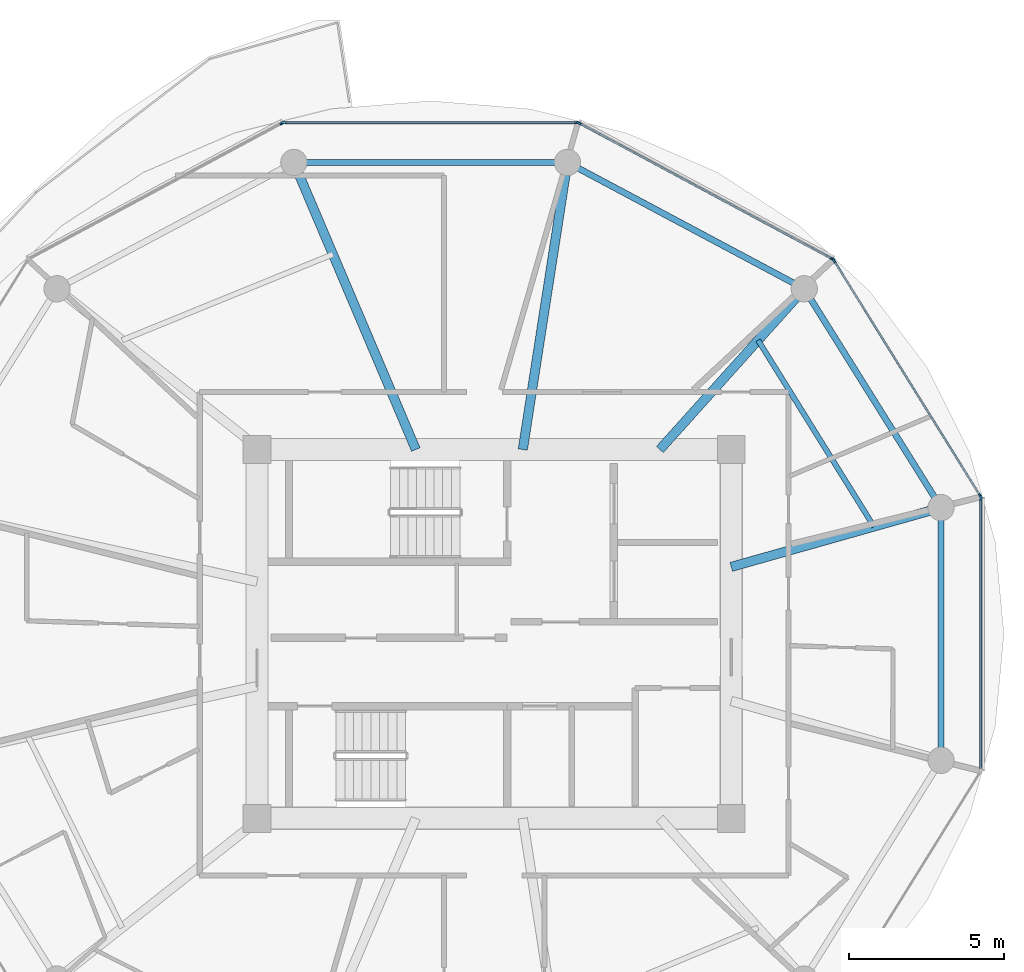
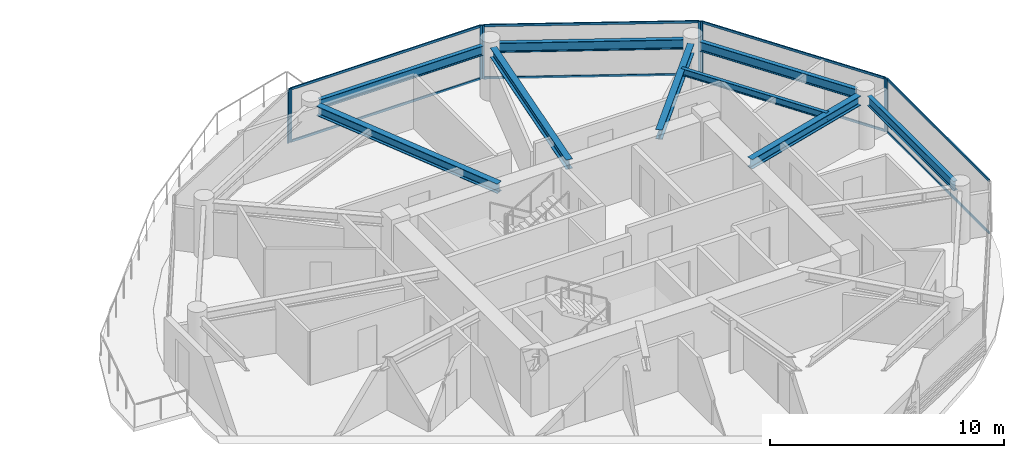
# One storey, part 11 of 22: 16 members, 9 beams, 5 elements without a shape of their own.
"""IFC4 building model written with IfcOpenShell, lengths in metres."""

from ifc_helpers import new_model, si_unit, direction, frame, origin, origin_2d, place, context, subcontext, project, spatial, rectangle, i_section, extrude, source, transform, mapped, material, layer, layer_set, material_profile, profile_set, type_object, type_shapes, element, aggregate, save


model = new_model("IFC4")

# Units and contexts
model_context = context("Model", 3, precision=1e-05, world=origin(), true_north=direction((0.0, 1.0)))
body_context = subcontext(model_context, "Body", "Model", "MODEL_VIEW")
ifc_project = project(units=[si_unit("LENGTHUNIT", "METRE"), si_unit("AREAUNIT", "SQUARE_METRE"), si_unit("VOLUMEUNIT", "CUBIC_METRE"), si_unit("PLANEANGLEUNIT", "RADIAN"), si_unit("MASSUNIT", "GRAM", prefix="KILO")], contexts=[model_context])

# Site, building, storey
site_placement = place(None, origin())
site = spatial("IfcSite", under=ifc_project, at=site_placement, CompositionType="ELEMENT")
building_placement = place(site_placement, origin())
building = spatial("IfcBuilding", under=site, at=building_placement, Name="Norrkilde Senior Care Towers", CompositionType="ELEMENT")
storey_placement = place(building_placement, frame((0.0, 0.0, 120.64990234375)))
storey = spatial("IfcBuildingStorey", under=building, at=storey_placement, Name="L37", CompositionType="ELEMENT", Elevation=120.64990234375)

# Beams
ifc_material_1 = material(Name="Steel S355", Category="steel")
ifc_material_profile_1 = material_profile(ifc_material_1, i_section(OverallWidth=0.199951171875, OverallDepth=0.5, WebThickness=0.01025390625, FlangeThickness=0.01611328125, FilletRadius=0.02099609375, at=origin_2d()), Name="IPE 500")
ifc_profile_set_1 = profile_set([ifc_material_profile_1], Name="Steel S355")
beam_type_1 = type_object("IfcBeamType", Name="Perimeter Ring Spandrel Z2 IPE500", PredefinedType="SPANDREL", material=ifc_profile_set_1)
shared_shape_1 = source(origin(), body_context, "Body", "SweptSolid", [
    extrude(i_section(OverallWidth=0.199951171875, OverallDepth=0.5, WebThickness=0.01025390625, FlangeThickness=0.01611328125, FilletRadius=0.02099609375, at=origin_2d()), origin(), (0.0, 0.0, 1.0), 7.892333984375),
])
beam_1_placement = place(storey_placement, frame((37.66650390625, 11.318115234375, 2.5400390625), z_axis=(-0.882350372282, 0.47059305194, 0.0), x_axis=(-0.47059305194, -0.882350372282, 0.0)))
element("IfcBeam", 1, at=beam_1_placement, inside=storey, type_object=beam_type_1, Name="L37 Drum E Perimeter Spandrel 02", PredefinedType="SPANDREL", context=body_context, shape_type="MappedRepresentation", body=[
    mapped(shared_shape_1, transform((0.0, 0.0, 0.0), x_axis=(1.0, 0.0, 0.0), y_axis=(0.0, 1.0, 0.0), z_axis=(0.0, 0.0, 1.0), scale=1.0)),
])
shared_shape_2 = source(origin(), body_context, "Body", "SweptSolid", [
    extrude(i_section(OverallWidth=0.199951171875, OverallDepth=0.5, WebThickness=0.01025390625, FlangeThickness=0.01611328125, FilletRadius=0.02099609375, at=origin_2d()), origin(), (0.0, 0.0, 1.0), 8.0556640625),
])
beam_2_placement = place(storey_placement, frame((29.977783203125, 15.21337890625, 2.5400390625), z_axis=(-1.0, 0.0, 0.0), x_axis=(0.0, -1.0, 0.0)))
element("IfcBeam", 2, at=beam_2_placement, inside=storey, type_object=beam_type_1, Name="L37 Drum E Perimeter Spandrel 03", PredefinedType="SPANDREL", context=body_context, shape_type="MappedRepresentation", body=[
    mapped(shared_shape_2, transform((0.0, 0.0, 0.0), x_axis=(1.0, 0.0, 0.0), y_axis=(0.0, 1.0, 0.0), z_axis=(0.0, 0.0, 1.0), scale=1.0)),
])
ifc_material_profile_2 = material_profile(ifc_material_1, i_section(OverallWidth=0.300048828125, OverallDepth=0.5, WebThickness=0.014404296875, FlangeThickness=0.028076171875, FilletRadius=0.027099609375, at=origin_2d()), Name="HEB 500")
ifc_profile_set_2 = profile_set([ifc_material_profile_2], Name="Steel S355")
beam_type_2 = type_object("IfcBeamType", Name="Radial Floor Beam Z2 HEB500", PredefinedType="BEAM", material=ifc_profile_set_2)
shared_shape_3 = source(origin(), body_context, "Body", "SweptSolid", [
    extrude(i_section(OverallWidth=0.300048828125, OverallDepth=0.5, WebThickness=0.014404296875, FlangeThickness=0.028076171875, FilletRadius=0.027099609375, at=origin_2d()), origin(), (0.0, 0.0, 1.0), 9.679443359375),
])
beam_3_placement = place(storey_placement, frame((25.472412109375, 5.949951171875, 2.5400390625), z_axis=(-0.390998033479, 0.920391513333, 0.0), x_axis=(-0.920391513333, -0.390998033479, 0.0)))
element("IfcBeam", 3, at=beam_3_placement, inside=storey, type_object=beam_type_2, Name="L37 Drum E Radial Floor Beam 04", PredefinedType="BEAM", context=body_context, shape_type="MappedRepresentation", body=[
    mapped(shared_shape_3, transform((0.0, 0.0, 0.0), x_axis=(1.0, 0.0, 0.0), y_axis=(0.0, 1.0, 0.0), z_axis=(0.0, 0.0, 1.0), scale=1.0)),
])
shared_shape_4 = source(origin(), body_context, "Body", "SweptSolid", [
    extrude(i_section(OverallWidth=0.300048828125, OverallDepth=0.5, WebThickness=0.014404296875, FlangeThickness=0.028076171875, FilletRadius=0.027099609375, at=origin_2d()), origin(), (0.0, 0.0, 1.0), 8.989501953125),
])
beam_4_placement = place(storey_placement, frame((28.924072265625, 5.949951171875, 2.5400390625), z_axis=(0.153471298636, 0.988153105796, 0.0), x_axis=(-0.988153105796, 0.153471298636, 0.0)))
element("IfcBeam", 4, at=beam_4_placement, inside=storey, type_object=beam_type_2, Name="L37 Drum E Radial Floor Beam 03", PredefinedType="BEAM", context=body_context, shape_type="MappedRepresentation", body=[
    mapped(shared_shape_4, transform((0.0, 0.0, 0.0), x_axis=(1.0, 0.0, 0.0), y_axis=(0.0, 1.0, 0.0), z_axis=(0.0, 0.0, 1.0), scale=1.0)),
])
shared_shape_5 = source(origin(), body_context, "Body", "SweptSolid", [
    extrude(i_section(OverallWidth=0.199951171875, OverallDepth=0.5, WebThickness=0.01025390625, FlangeThickness=0.01611328125, FilletRadius=0.02099609375, at=origin_2d()), origin(), (0.0, 0.0, 1.0), 7.556396484375),
])
beam_5_placement = place(storey_placement, frame((42.215087890625, 4.40283203125, 2.5400390625), z_axis=(-0.530004748437, 0.847994673706, 0.0), x_axis=(-0.847994673706, -0.530004748437, 0.0)))
element("IfcBeam", 5, at=beam_5_placement, inside=storey, type_object=beam_type_1, Name="L37 Drum E Perimeter Spandrel 01", PredefinedType="SPANDREL", context=body_context, shape_type="MappedRepresentation", body=[
    mapped(shared_shape_5, transform((0.0, 0.0, 0.0), x_axis=(1.0, 0.0, 0.0), y_axis=(0.0, 1.0, 0.0), z_axis=(0.0, 0.0, 1.0), scale=1.0)),
])
shared_shape_6 = source(origin(), body_context, "Body", "SweptSolid", [
    extrude(i_section(OverallWidth=0.300048828125, OverallDepth=0.5, WebThickness=0.014404296875, FlangeThickness=0.028076171875, FilletRadius=0.027099609375, at=origin_2d()), origin(), (0.0, 0.0, 1.0), 6.587890625),
])
beam_6_placement = place(storey_placement, frame((33.345947265625, 5.949951171875, 2.5400390625), z_axis=(0.668315438605, 0.743877997068, 0.0), x_axis=(-0.743877997068, 0.668315438605, 0.0)))
element("IfcBeam", 6, at=beam_6_placement, inside=storey, type_object=beam_type_2, Name="L37 Drum E Radial Floor Beam 02", PredefinedType="BEAM", context=body_context, shape_type="MappedRepresentation", body=[
    mapped(shared_shape_6, transform((0.0, 0.0, 0.0), x_axis=(1.0, 0.0, 0.0), y_axis=(0.0, 1.0, 0.0), z_axis=(0.0, 0.0, 1.0), scale=1.0)),
])
shared_shape_7 = source(origin(), body_context, "Body", "SweptSolid", [
    extrude(i_section(OverallWidth=0.199951171875, OverallDepth=0.5, WebThickness=0.01025390625, FlangeThickness=0.01611328125, FilletRadius=0.02099609375, at=origin_2d()), origin(), (0.0, 0.0, 1.0), 7.3828125),
])
type_shapes(beam_type_1, [shared_shape_1, shared_shape_2, shared_shape_5, shared_shape_7])
beam_7_placement = place(storey_placement, frame((42.4189453125, -3.69140625, 2.5400390625), z_axis=(0.0, 1.0, 0.0), x_axis=(-1.0, 0.0, 0.0)))
element("IfcBeam", 7, at=beam_7_placement, inside=storey, type_object=beam_type_1, Name="L37 Drum E Perimeter Spandrel 12", PredefinedType="SPANDREL", context=body_context, shape_type="MappedRepresentation", body=[
    mapped(shared_shape_7, transform((0.0, 0.0, 0.0), x_axis=(1.0, 0.0, 0.0), y_axis=(0.0, 1.0, 0.0), z_axis=(0.0, 0.0, 1.0), scale=1.0)),
])
shared_shape_8 = source(origin(), body_context, "Body", "SweptSolid", [
    extrude(i_section(OverallWidth=0.300048828125, OverallDepth=0.5, WebThickness=0.014404296875, FlangeThickness=0.028076171875, FilletRadius=0.027099609375, at=origin_2d()), origin(), (0.0, 0.0, 1.0), 6.6494140625),
])
type_shapes(beam_type_2, [shared_shape_3, shared_shape_4, shared_shape_6, shared_shape_8])
beam_8_placement = place(storey_placement, frame((35.64990234375, 2.162841796875, 2.5400390625), z_axis=(0.962289138357, 0.27202870106, 0.0), x_axis=(-0.27202870106, 0.962289138357, 0.0)))
element("IfcBeam", 8, at=beam_8_placement, inside=storey, type_object=beam_type_2, Name="L37 Drum E Radial Floor Beam 01", PredefinedType="BEAM", context=body_context, shape_type="MappedRepresentation", body=[
    mapped(shared_shape_8, transform((0.0, 0.0, 0.0), x_axis=(1.0, 0.0, 0.0), y_axis=(0.0, 1.0, 0.0), z_axis=(0.0, 0.0, 1.0), scale=1.0)),
])
ifc_material_profile_3 = material_profile(ifc_material_1, i_section(OverallWidth=0.169921875, OverallDepth=0.360107421875, WebThickness=0.008056640625, FlangeThickness=0.0126953125, FilletRadius=0.01806640625, at=origin_2d()), Name="IPE 360")
ifc_profile_set_3 = profile_set([ifc_material_profile_3], Name="Steel S355")
beam_type_3 = type_object("IfcBeamType", Name="Secondary Floor Joist IPE360", PredefinedType="JOIST", material=ifc_profile_set_3)
shared_shape_9 = source(origin(), body_context, "Body", "SweptSolid", [
    extrude(i_section(OverallWidth=0.169921875, OverallDepth=0.360107421875, WebThickness=0.008056640625, FlangeThickness=0.0126953125, FilletRadius=0.01806640625, at=origin_2d()), origin(), (0.0, 0.0, 1.0), 7.080078125),
])
type_shapes(beam_type_3, [shared_shape_9])
beam_9_placement = place(storey_placement, frame((40.2529296875, 3.464111328125, 2.610107421875), z_axis=(-0.527961009189, 0.849268610497, 0.0), x_axis=(-0.849268610497, -0.527961009189, 0.0)))
element("IfcBeam", 9, at=beam_9_placement, inside=storey, type_object=beam_type_3, Name="L37 Drum E Secondary Floor Joist 1", PredefinedType="JOIST", context=body_context, shape_type="MappedRepresentation", body=[
    mapped(shared_shape_9, transform((0.0, 0.0, 0.0), x_axis=(1.0, 0.0, 0.0), y_axis=(0.0, 1.0, 0.0), z_axis=(0.0, 0.0, 1.0), scale=1.0)),
])

# Curtain wall, members
ifc_material_2 = material(Name="Triple Low-E Insulated Glazing", Category="glass")
ifc_layer = layer(ifc_material_2, 0.195068359375)
ifc_layer_set = layer_set([ifc_layer], Name="Triple Low-E Insulated Glazing")
curtain_wall_type = type_object("IfcCurtainWallType", Name="CW3 Zone 2 Assisted Living Curtain Wall", PredefinedType="NOTDEFINED", material=ifc_layer_set)
curtain_wall_1_placement = place(storey_placement, origin())
curtain_wall_1 = element("IfcCurtainWall", 10, at=curtain_wall_1_placement, inside=storey, type_object=curtain_wall_type, Name="L37 Drum E Curtain Wall 00", PredefinedType="NOTDEFINED")
ifc_material_3 = material(Name="Anodised Aluminium", Category="aluminium")
ifc_material_profile_4 = material_profile(ifc_material_3, rectangle(XDim=0.06494140625, YDim=0.159912109375, at=origin_2d()), Name="ALU MULL 65x160")
ifc_profile_set_4 = profile_set([ifc_material_profile_4], Name="Anodised Aluminium")
member_type_1 = type_object("IfcMemberType", Name="Curtain Wall Mullion Z1-Z2 65x160", PredefinedType="MULLION", material=ifc_profile_set_4)
shared_shape_10 = source(origin(), body_context, "Body", "SweptSolid", [
    extrude(rectangle(XDim=0.06494140625, YDim=0.159912109375, at=origin_2d()), origin(), (0.0, 0.0, 1.0), 2.7900390625),
])
type_shapes(member_type_1, [shared_shape_10])
member_1_placement = place(storey_placement, frame((38.9638671875, 12.0498046875, 0.0), z_axis=(0.0, 0.0, 1.0), x_axis=(0.849410171862, 0.527733228002, 0.0)))
member_1 = element("IfcMember", 11, at=member_1_placement, type_object=member_type_1, Name="CW-3 mullion 1", PredefinedType="MULLION", context=body_context, shape_type="MappedRepresentation", body=[
    mapped(shared_shape_10, transform((0.0, 0.0, 0.0), x_axis=(1.0, 0.0, 0.0), y_axis=(0.0, 1.0, 0.0), z_axis=(0.0, 0.0, 1.0), scale=1.0)),
])
member_2_placement = place(storey_placement, frame((43.6865234375, 4.4482421875, 0.0), z_axis=(0.0, 0.0, 1.0), x_axis=(0.849410171862, 0.527733228002, 0.0)))
member_2 = element("IfcMember", 12, at=member_2_placement, type_object=member_type_1, Name="CW-3 mullion 2", PredefinedType="MULLION", context=body_context, shape_type="MappedRepresentation", body=[
    mapped(shared_shape_10, transform((0.0, 0.0, 0.0), x_axis=(1.0, 0.0, 0.0), y_axis=(0.0, 1.0, 0.0), z_axis=(0.0, 0.0, 1.0), scale=1.0)),
])

curtain_wall_2_placement = place(storey_placement, origin())
curtain_wall_2 = element("IfcCurtainWall", 13, at=curtain_wall_2_placement, inside=storey, type_object=curtain_wall_type, Name="L37 Drum E Curtain Wall 01", PredefinedType="NOTDEFINED")
member_3_placement = place(storey_placement, frame((30.73583984375, 16.482666015625, 0.0), z_axis=(0.0, 0.0, 1.0), x_axis=(0.472769402511, 0.881186184668, 0.0)))
member_3 = element("IfcMember", 14, at=member_3_placement, type_object=member_type_1, Name="CW-3 mullion 1", PredefinedType="MULLION", context=body_context, shape_type="MappedRepresentation", body=[
    mapped(shared_shape_10, transform((0.0, 0.0, 0.0), x_axis=(1.0, 0.0, 0.0), y_axis=(0.0, 1.0, 0.0), z_axis=(0.0, 0.0, 1.0), scale=1.0)),
])
member_4_placement = place(storey_placement, frame((38.91796875, 12.0927734375, 0.0), z_axis=(0.0, 0.0, 1.0), x_axis=(0.472769402511, 0.881186184668, 0.0)))
member_4 = element("IfcMember", 15, at=member_4_placement, type_object=member_type_1, Name="CW-3 mullion 2", PredefinedType="MULLION", context=body_context, shape_type="MappedRepresentation", body=[
    mapped(shared_shape_10, transform((0.0, 0.0, 0.0), x_axis=(1.0, 0.0, 0.0), y_axis=(0.0, 1.0, 0.0), z_axis=(0.0, 0.0, 1.0), scale=1.0)),
])

curtain_wall_3_placement = place(storey_placement, origin())
curtain_wall_3 = element("IfcCurtainWall", 16, at=curtain_wall_3_placement, inside=storey, type_object=curtain_wall_type, Name="L37 Drum E Curtain Wall 02", PredefinedType="NOTDEFINED")
member_5_placement = place(storey_placement, frame((21.225341796875, 16.498046875, 0.0), z_axis=(0.0, 0.0, 1.0), x_axis=(0.0, 1.0, 0.0)))
member_5 = element("IfcMember", 17, at=member_5_placement, type_object=member_type_1, Name="CW-3 mullion 1", PredefinedType="MULLION", context=body_context, shape_type="MappedRepresentation", body=[
    mapped(shared_shape_10, transform((0.0, 0.0, 0.0), x_axis=(1.0, 0.0, 0.0), y_axis=(0.0, 1.0, 0.0), z_axis=(0.0, 0.0, 1.0), scale=1.0)),
])
member_6_placement = place(storey_placement, frame((30.674560546875, 16.498046875, 0.0), z_axis=(0.0, 0.0, 1.0), x_axis=(0.0, 1.0, 0.0)))
member_6 = element("IfcMember", 18, at=member_6_placement, type_object=member_type_1, Name="CW-3 mullion 2", PredefinedType="MULLION", context=body_context, shape_type="MappedRepresentation", body=[
    mapped(shared_shape_10, transform((0.0, 0.0, 0.0), x_axis=(1.0, 0.0, 0.0), y_axis=(0.0, 1.0, 0.0), z_axis=(0.0, 0.0, 1.0), scale=1.0)),
])

# Curtain wall, member
curtain_wall_4_placement = place(storey_placement, origin())
curtain_wall_4 = element("IfcCurtainWall", 19, at=curtain_wall_4_placement, inside=storey, type_object=curtain_wall_type, Name="L37 Drum E Curtain Wall 03", PredefinedType="NOTDEFINED")
member_7_placement = place(storey_placement, frame((21.164306640625, 16.482666015625, 0.0), z_axis=(0.0, 0.0, 1.0), x_axis=(-0.472769402511, 0.881186184668, 0.0)))
member_7 = element("IfcMember", 20, at=member_7_placement, type_object=member_type_1, Name="CW-3 mullion 2", PredefinedType="MULLION", context=body_context, shape_type="MappedRepresentation", body=[
    mapped(shared_shape_10, transform((0.0, 0.0, 0.0), x_axis=(1.0, 0.0, 0.0), y_axis=(0.0, 1.0, 0.0), z_axis=(0.0, 0.0, 1.0), scale=1.0)),
])
aggregate(curtain_wall_4, [member_7])

curtain_wall_5_placement = place(storey_placement, origin())
curtain_wall_5 = element("IfcCurtainWall", 21, at=curtain_wall_5_placement, inside=storey, type_object=curtain_wall_type, Name="L37 Drum E Curtain Wall 11", PredefinedType="NOTDEFINED")
member_8_placement = place(storey_placement, frame((43.70361328125, 4.38818359375, 0.0), z_axis=(0.0, 0.0, 1.0), x_axis=(1.0, 0.0, 0.0)))
member_8 = element("IfcMember", 22, at=member_8_placement, type_object=member_type_1, Name="CW-3 mullion 1", PredefinedType="MULLION", context=body_context, shape_type="MappedRepresentation", body=[
    mapped(shared_shape_10, transform((0.0, 0.0, 0.0), x_axis=(1.0, 0.0, 0.0), y_axis=(0.0, 1.0, 0.0), z_axis=(0.0, 0.0, 1.0), scale=1.0)),
])

# Member
ifc_material_profile_5 = material_profile(ifc_material_3, rectangle(XDim=0.06005859375, YDim=0.1201171875, at=origin_2d()), Name="ALU TRAN 60x120")
ifc_profile_set_5 = profile_set([ifc_material_profile_5], Name="Anodised Aluminium")
member_type_2 = type_object("IfcMemberType", Name="Curtain Wall Transom Typical 60x120", PredefinedType="USERDEFINED", material=ifc_profile_set_5)
shared_shape_11 = source(origin(), body_context, "Body", "SweptSolid", [
    extrude(rectangle(XDim=0.06005859375, YDim=0.1201171875, at=origin_2d()), origin(), (0.0, 0.0, 1.0), 8.88427734375),
])
member_9_placement = place(storey_placement, frame((38.98095703125, 12.022216796875, 0.030029296875), z_axis=(0.527729466743, -0.849412508697, 0.0), x_axis=(0.849412508697, 0.527729466743, 0.0)))
member_9 = element("IfcMember", 23, at=member_9_placement, type_object=member_type_2, Name="CW-3 transom 1.1", ObjectType="TRANSOM", PredefinedType="USERDEFINED", context=body_context, shape_type="MappedRepresentation", body=[
    mapped(shared_shape_11, transform((0.0, 0.0, 0.0), x_axis=(1.0, 0.0, 0.0), y_axis=(0.0, 1.0, 0.0), z_axis=(0.0, 0.0, 1.0), scale=1.0)),
])

member_10_placement = place(storey_placement, frame((38.98095703125, 12.022216796875, 2.760009765625), z_axis=(0.527729466743, -0.849412508697, 0.0), x_axis=(0.849412508697, 0.527729466743, 0.0)))
member_10 = element("IfcMember", 24, at=member_10_placement, type_object=member_type_2, Name="CW-3 transom 1.2", ObjectType="TRANSOM", PredefinedType="USERDEFINED", context=body_context, shape_type="MappedRepresentation", body=[
    mapped(shared_shape_11, transform((0.0, 0.0, 0.0), x_axis=(1.0, 0.0, 0.0), y_axis=(0.0, 1.0, 0.0), z_axis=(0.0, 0.0, 1.0), scale=1.0)),
])

aggregate(curtain_wall_1, [member_1, member_2, member_9, member_10])

shared_shape_12 = source(origin(), body_context, "Body", "SweptSolid", [
    extrude(rectangle(XDim=0.06005859375, YDim=0.1201171875, at=origin_2d()), origin(), (0.0, 0.0, 1.0), 9.220458984375),
])
member_11_placement = place(storey_placement, frame((30.764404296875, 16.46728515625, 0.030029296875), z_axis=(0.881188517866, -0.472765053681, 0.0), x_axis=(0.472765053681, 0.881188517866, 0.0)))
member_11 = element("IfcMember", 25, at=member_11_placement, type_object=member_type_2, Name="CW-3 transom 1.1", ObjectType="TRANSOM", PredefinedType="USERDEFINED", context=body_context, shape_type="MappedRepresentation", body=[
    mapped(shared_shape_12, transform((0.0, 0.0, 0.0), x_axis=(1.0, 0.0, 0.0), y_axis=(0.0, 1.0, 0.0), z_axis=(0.0, 0.0, 1.0), scale=1.0)),
])

member_12_placement = place(storey_placement, frame((30.764404296875, 16.46728515625, 2.760009765625), z_axis=(0.881188517866, -0.472765053681, 0.0), x_axis=(0.472765053681, 0.881188517866, 0.0)))
member_12 = element("IfcMember", 26, at=member_12_placement, type_object=member_type_2, Name="CW-3 transom 1.2", ObjectType="TRANSOM", PredefinedType="USERDEFINED", context=body_context, shape_type="MappedRepresentation", body=[
    mapped(shared_shape_12, transform((0.0, 0.0, 0.0), x_axis=(1.0, 0.0, 0.0), y_axis=(0.0, 1.0, 0.0), z_axis=(0.0, 0.0, 1.0), scale=1.0)),
])

aggregate(curtain_wall_2, [member_3, member_4, member_11, member_12])

shared_shape_13 = source(origin(), body_context, "Body", "SweptSolid", [
    extrude(rectangle(XDim=0.06005859375, YDim=0.1201171875, at=origin_2d()), origin(), (0.0, 0.0, 1.0), 9.38427734375),
])
member_13_placement = place(storey_placement, frame((21.2578125, 16.498046875, 0.030029296875), z_axis=(1.0, 0.0, 0.0), x_axis=(0.0, 1.0, 0.0)))
member_13 = element("IfcMember", 27, at=member_13_placement, type_object=member_type_2, Name="CW-3 transom 1.1", ObjectType="TRANSOM", PredefinedType="USERDEFINED", context=body_context, shape_type="MappedRepresentation", body=[
    mapped(shared_shape_13, transform((0.0, 0.0, 0.0), x_axis=(1.0, 0.0, 0.0), y_axis=(0.0, 1.0, 0.0), z_axis=(0.0, 0.0, 1.0), scale=1.0)),
])

member_14_placement = place(storey_placement, frame((21.2578125, 16.498046875, 2.760009765625), z_axis=(1.0, 0.0, 0.0), x_axis=(0.0, 1.0, 0.0)))
member_14 = element("IfcMember", 28, at=member_14_placement, type_object=member_type_2, Name="CW-3 transom 1.2", ObjectType="TRANSOM", PredefinedType="USERDEFINED", context=body_context, shape_type="MappedRepresentation", body=[
    mapped(shared_shape_13, transform((0.0, 0.0, 0.0), x_axis=(1.0, 0.0, 0.0), y_axis=(0.0, 1.0, 0.0), z_axis=(0.0, 0.0, 1.0), scale=1.0)),
])

aggregate(curtain_wall_3, [member_5, member_6, member_13, member_14])

shared_shape_14 = source(origin(), body_context, "Body", "SweptSolid", [
    extrude(rectangle(XDim=0.06005859375, YDim=0.1201171875, at=origin_2d()), origin(), (0.0, 0.0, 1.0), 8.71142578125),
])
type_shapes(member_type_2, [shared_shape_11, shared_shape_12, shared_shape_13, shared_shape_14])
member_15_placement = place(storey_placement, frame((43.70361328125, 4.355712890625, 0.030029296875), z_axis=(0.0, -1.0, 0.0), x_axis=(1.0, 0.0, 0.0)))
member_15 = element("IfcMember", 29, at=member_15_placement, type_object=member_type_2, Name="CW-3 transom 1.1", ObjectType="TRANSOM", PredefinedType="USERDEFINED", context=body_context, shape_type="MappedRepresentation", body=[
    mapped(shared_shape_14, transform((0.0, 0.0, 0.0), x_axis=(1.0, 0.0, 0.0), y_axis=(0.0, 1.0, 0.0), z_axis=(0.0, 0.0, 1.0), scale=1.0)),
])

member_16_placement = place(storey_placement, frame((43.70361328125, 4.355712890625, 2.760009765625), z_axis=(0.0, -1.0, 0.0), x_axis=(1.0, 0.0, 0.0)))
member_16 = element("IfcMember", 30, at=member_16_placement, type_object=member_type_2, Name="CW-3 transom 1.2", ObjectType="TRANSOM", PredefinedType="USERDEFINED", context=body_context, shape_type="MappedRepresentation", body=[
    mapped(shared_shape_14, transform((0.0, 0.0, 0.0), x_axis=(1.0, 0.0, 0.0), y_axis=(0.0, 1.0, 0.0), z_axis=(0.0, 0.0, 1.0), scale=1.0)),
])

aggregate(curtain_wall_5, [member_8, member_15, member_16])

save(model, "model.ifc")
